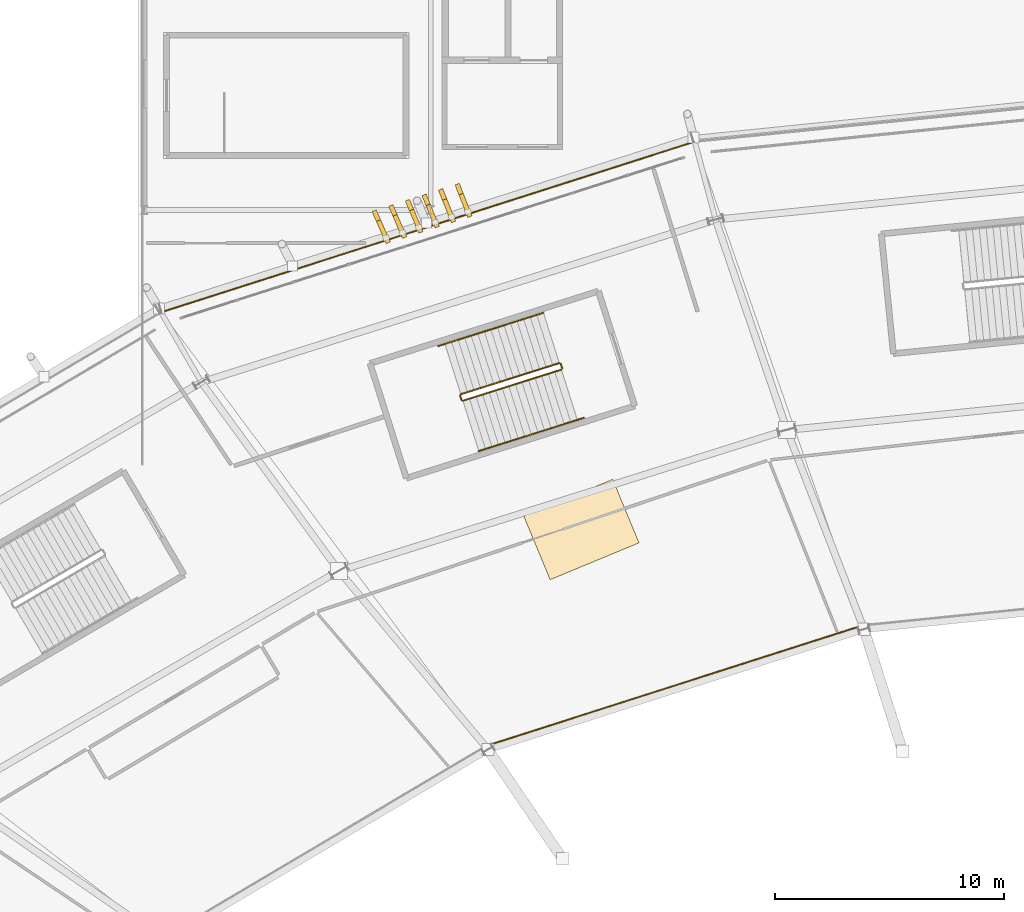
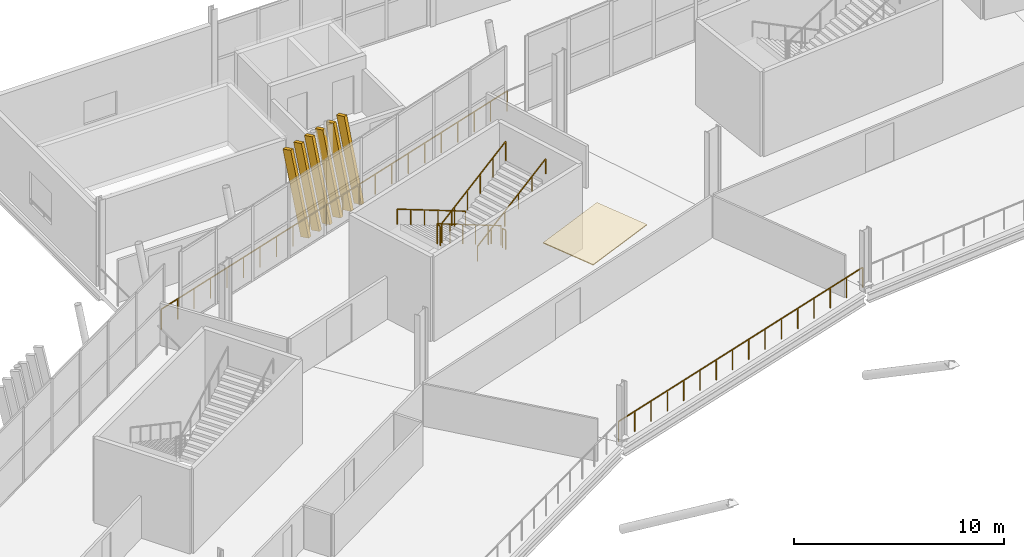
# One storey, part 163 of 168: 8 railings, 6 shading devices, 1 covering.
"""IFC4 building model written with IfcOpenShell, lengths in metres."""

from ifc_helpers import new_model, si_unit, direction, frame, origin, origin_2d, place, context, subcontext, project, spatial, polyline, rectangle, outline, extrude, material, layer, layer_set, material_profile, profile_set, type_object, element, save


model = new_model("IFC4")

# Units and contexts
model_context = context("Model", 3, precision=1e-05, world=origin(), true_north=direction((0.0, 1.0)))
body_context = subcontext(model_context, "Body", "Model", "MODEL_VIEW")
ifc_project = project(units=[si_unit("LENGTHUNIT", "METRE"), si_unit("AREAUNIT", "SQUARE_METRE"), si_unit("VOLUMEUNIT", "CUBIC_METRE"), si_unit("PLANEANGLEUNIT", "RADIAN"), si_unit("MASSUNIT", "GRAM", prefix="KILO")], contexts=[model_context])

# Site, building, storey
site_placement = place(None, origin())
site = spatial("IfcSite", under=ifc_project, at=site_placement, CompositionType="ELEMENT")
building_placement = place(site_placement, origin())
building = spatial("IfcBuilding", under=site, at=building_placement, Name="Zlatoyarsky Gate Stadium", CompositionType="ELEMENT")
storey_placement = place(building_placement, frame((0.0, 0.0, 15.60009765625)))
storey = spatial("IfcBuildingStorey", under=building, at=storey_placement, Name="L03", CompositionType="ELEMENT", Elevation=15.60009765625)

# Railings
ifc_material_1 = material(Name="Powder-coated steel tubular guardrail", Category="steel")
railing_type_1 = type_object("IfcRailingType", Name="CONCOURSE SLAB EDGE GUARDRAIL 1200", PredefinedType="GUARDRAIL", material=ifc_material_1)
railing_1_placement = place(storey_placement, frame((93.353759765625, 130.885009765625, 0.0)))
element("IfcRailing", 1, at=railing_1_placement, inside=storey, type_object=railing_type_1, Name="L03 inner bowl edge guardrail 07", PredefinedType="GUARDRAIL", context=body_context, shape_type="SweptSolid", body=[
    extrude(rectangle(XDim=0.048095703125, YDim=0.048095703125, at=origin_2d()), frame((0.0, 0.0, 1.17578125), z_axis=(-0.952412982001, -0.304810616148, 0.0), x_axis=(0.304810616148, -0.952412982001, 0.0)), (0.0, 0.0, 1.0), 17.265380859375),
    extrude(rectangle(XDim=0.0419921875, YDim=0.0419921875, at=origin_2d()), origin(), (0.0, 0.0, 1.0), 1.15185546875),
    extrude(rectangle(XDim=0.0419921875, YDim=0.0419921875, at=origin_2d()), frame((-1.09619140625, -0.350830078125, 0.0)), (0.0, 0.0, 1.0), 1.15185546875),
    extrude(rectangle(XDim=0.0419921875, YDim=0.0419921875, at=origin_2d()), frame((-2.192626953125, -0.70166015625, 0.0)), (0.0, 0.0, 1.0), 1.15185546875),
    extrude(rectangle(XDim=0.0419921875, YDim=0.0419921875, at=origin_2d()), frame((-3.288818359375, -1.052490234375, 0.0)), (0.0, 0.0, 1.0), 1.15185546875),
    extrude(rectangle(XDim=0.0419921875, YDim=0.0419921875, at=origin_2d()), frame((-4.385009765625, -1.4033203125, 0.0)), (0.0, 0.0, 1.0), 1.15185546875),
    extrude(rectangle(XDim=0.0419921875, YDim=0.0419921875, at=origin_2d()), frame((-5.481201171875, -1.754150390625, 0.0)), (0.0, 0.0, 1.0), 1.15185546875),
    extrude(rectangle(XDim=0.0419921875, YDim=0.0419921875, at=origin_2d()), frame((-6.57763671875, -2.10498046875, 0.0)), (0.0, 0.0, 1.0), 1.15185546875),
    extrude(rectangle(XDim=0.0419921875, YDim=0.0419921875, at=origin_2d()), frame((-7.673828125, -2.455810546875, 0.0)), (0.0, 0.0, 1.0), 1.15185546875),
    extrude(rectangle(XDim=0.0419921875, YDim=0.0419921875, at=origin_2d()), frame((-8.77001953125, -2.806884765625, 0.0)), (0.0, 0.0, 1.0), 1.15185546875),
    extrude(rectangle(XDim=0.0419921875, YDim=0.0419921875, at=origin_2d()), frame((-9.8662109375, -3.15771484375, 0.0)), (0.0, 0.0, 1.0), 1.15185546875),
    extrude(rectangle(XDim=0.0419921875, YDim=0.0419921875, at=origin_2d()), frame((-10.962646484375, -3.508544921875, 0.0)), (0.0, 0.0, 1.0), 1.15185546875),
    extrude(rectangle(XDim=0.0419921875, YDim=0.0419921875, at=origin_2d()), frame((-12.058837890625, -3.859375, 0.0)), (0.0, 0.0, 1.0), 1.15185546875),
    extrude(rectangle(XDim=0.0419921875, YDim=0.0419921875, at=origin_2d()), frame((-13.155029296875, -4.210205078125, 0.0)), (0.0, 0.0, 1.0), 1.15185546875),
    extrude(rectangle(XDim=0.0419921875, YDim=0.0419921875, at=origin_2d()), frame((-14.251220703125, -4.56103515625, 0.0)), (0.0, 0.0, 1.0), 1.15185546875),
    extrude(rectangle(XDim=0.0419921875, YDim=0.0419921875, at=origin_2d()), frame((-15.34765625, -4.911865234375, 0.0)), (0.0, 0.0, 1.0), 1.15185546875),
    extrude(rectangle(XDim=0.0419921875, YDim=0.0419921875, at=origin_2d()), frame((-16.44384765625, -5.2626953125, 0.0)), (0.0, 0.0, 1.0), 1.15185546875),
])
railing_2_placement = place(storey_placement, frame((86.018310546875, 151.98291015625, 0.0)))
element("IfcRailing", 2, at=railing_2_placement, inside=storey, type_object=railing_type_1, Name="L03 outer slab edge guardrail 07", PredefinedType="GUARDRAIL", context=body_context, shape_type="SweptSolid", body=[
    extrude(rectangle(XDim=0.048095703125, YDim=0.048095703125, at=origin_2d()), frame((0.0, 0.0, 1.17578125), z_axis=(-0.952478180507, -0.304606821424, 0.0), x_axis=(0.304606821424, -0.952478180507, 0.0)), (0.0, 0.0, 1.0), 24.440673828125),
    extrude(rectangle(XDim=0.0419921875, YDim=0.0419921875, at=origin_2d()), origin(), (0.0, 0.0, 1.0), 1.15185546875),
    extrude(rectangle(XDim=0.0419921875, YDim=0.0419921875, at=origin_2d()), frame((-1.108642578125, -0.3544921875, 0.0)), (0.0, 0.0, 1.0), 1.15185546875),
    extrude(rectangle(XDim=0.0419921875, YDim=0.0419921875, at=origin_2d()), frame((-2.217041015625, -0.708984375, 0.0)), (0.0, 0.0, 1.0), 1.15185546875),
    extrude(rectangle(XDim=0.0419921875, YDim=0.0419921875, at=origin_2d()), frame((-3.32568359375, -1.0634765625, 0.0)), (0.0, 0.0, 1.0), 1.15185546875),
    extrude(rectangle(XDim=0.0419921875, YDim=0.0419921875, at=origin_2d()), frame((-4.43408203125, -1.41796875, 0.0)), (0.0, 0.0, 1.0), 1.15185546875),
    extrude(rectangle(XDim=0.0419921875, YDim=0.0419921875, at=origin_2d()), frame((-5.542724609375, -1.7724609375, 0.0)), (0.0, 0.0, 1.0), 1.15185546875),
    extrude(rectangle(XDim=0.0419921875, YDim=0.0419921875, at=origin_2d()), frame((-6.651123046875, -2.127197265625, 0.0)), (0.0, 0.0, 1.0), 1.15185546875),
    extrude(rectangle(XDim=0.0419921875, YDim=0.0419921875, at=origin_2d()), frame((-7.759765625, -2.481689453125, 0.0)), (0.0, 0.0, 1.0), 1.15185546875),
    extrude(rectangle(XDim=0.0419921875, YDim=0.0419921875, at=origin_2d()), frame((-8.868408203125, -2.836181640625, 0.0)), (0.0, 0.0, 1.0), 1.15185546875),
    extrude(rectangle(XDim=0.0419921875, YDim=0.0419921875, at=origin_2d()), frame((-9.976806640625, -3.190673828125, 0.0)), (0.0, 0.0, 1.0), 1.15185546875),
    extrude(rectangle(XDim=0.0419921875, YDim=0.0419921875, at=origin_2d()), frame((-11.08544921875, -3.545166015625, 0.0)), (0.0, 0.0, 1.0), 1.15185546875),
    extrude(rectangle(XDim=0.0419921875, YDim=0.0419921875, at=origin_2d()), frame((-12.19384765625, -3.899658203125, 0.0)), (0.0, 0.0, 1.0), 1.15185546875),
    extrude(rectangle(XDim=0.0419921875, YDim=0.0419921875, at=origin_2d()), frame((-13.302490234375, -4.254150390625, 0.0)), (0.0, 0.0, 1.0), 1.15185546875),
    extrude(rectangle(XDim=0.0419921875, YDim=0.0419921875, at=origin_2d()), frame((-14.410888671875, -4.608642578125, 0.0)), (0.0, 0.0, 1.0), 1.15185546875),
    extrude(rectangle(XDim=0.0419921875, YDim=0.0419921875, at=origin_2d()), frame((-15.51953125, -4.963134765625, 0.0)), (0.0, 0.0, 1.0), 1.15185546875),
    extrude(rectangle(XDim=0.0419921875, YDim=0.0419921875, at=origin_2d()), frame((-16.628173828125, -5.317626953125, 0.0)), (0.0, 0.0, 1.0), 1.15185546875),
    extrude(rectangle(XDim=0.0419921875, YDim=0.0419921875, at=origin_2d()), frame((-17.736572265625, -5.67236328125, 0.0)), (0.0, 0.0, 1.0), 1.15185546875),
    extrude(rectangle(XDim=0.0419921875, YDim=0.0419921875, at=origin_2d()), frame((-18.84521484375, -6.02685546875, 0.0)), (0.0, 0.0, 1.0), 1.15185546875),
    extrude(rectangle(XDim=0.0419921875, YDim=0.0419921875, at=origin_2d()), frame((-19.95361328125, -6.38134765625, 0.0)), (0.0, 0.0, 1.0), 1.15185546875),
    extrude(rectangle(XDim=0.0419921875, YDim=0.0419921875, at=origin_2d()), frame((-21.062255859375, -6.73583984375, 0.0)), (0.0, 0.0, 1.0), 1.15185546875),
    extrude(rectangle(XDim=0.0419921875, YDim=0.0419921875, at=origin_2d()), frame((-22.170654296875, -7.09033203125, 0.0)), (0.0, 0.0, 1.0), 1.15185546875),
    extrude(rectangle(XDim=0.0419921875, YDim=0.0419921875, at=origin_2d()), frame((-23.279296875, -7.44482421875, 0.0)), (0.0, 0.0, 1.0), 1.15185546875),
])
ifc_material_2 = material(Name="Powder-coated steel stair guardrail", Category="steel")
railing_type_2 = type_object("IfcRailingType", Name="PAINTED STEEL STAIR WELL GUARDRAIL 1150", PredefinedType="GUARDRAIL", material=ifc_material_2)
railing_3_placement = place(storey_placement, frame((80.108642578125, 142.321533203125, 0.162353515625)))
element("IfcRailing", 3, at=railing_3_placement, inside=storey, type_object=railing_type_2, Name="ST-14 L03 stair guard 1", PredefinedType="GUARDRAIL", context=body_context, shape_type="SweptSolid", body=[
    extrude(rectangle(XDim=0.048095703125, YDim=0.048095703125, at=origin_2d()), frame((0.0, 0.0, 1.1259765625), z_axis=(-0.838387862461, -0.265087985872, 0.476271090686), x_axis=(0.301476673217, -0.953473552599, 0.0)), (0.0, 0.0, 1.0), 5.117919921875),
    extrude(rectangle(XDim=0.0419921875, YDim=0.0419921875, at=origin_2d()), origin(), (0.0, 0.0, 1.0), 1.101806640625),
    extrude(rectangle(XDim=0.0419921875, YDim=0.0419921875, at=origin_2d()), frame((-0.858154296875, -0.271240234375, 0.487548828125)), (0.0, 0.0, 1.0), 1.101806640625),
    extrude(rectangle(XDim=0.0419921875, YDim=0.0419921875, at=origin_2d()), frame((-1.71630859375, -0.542724609375, 0.97509765625)), (0.0, 0.0, 1.0), 1.101806640625),
    extrude(rectangle(XDim=0.0419921875, YDim=0.0419921875, at=origin_2d()), frame((-2.574462890625, -0.81396484375, 1.46240234375)), (0.0, 0.0, 1.0), 1.101806640625),
    extrude(rectangle(XDim=0.0419921875, YDim=0.0419921875, at=origin_2d()), frame((-3.4326171875, -1.08544921875, 1.949951171875)), (0.0, 0.0, 1.0), 1.101806640625),
    extrude(rectangle(XDim=0.0419921875, YDim=0.0419921875, at=origin_2d()), frame((-4.290771484375, -1.356689453125, 2.4375)), (0.0, 0.0, 1.0), 1.101806640625),
])
railing_4_placement = place(storey_placement, frame((75.785400390625, 140.902099609375, 2.599853515625)))
element("IfcRailing", 4, at=railing_4_placement, inside=storey, type_object=railing_type_2, Name="ST-14 L03 stair guard 2", PredefinedType="GUARDRAIL", context=body_context, shape_type="SweptSolid", body=[
    extrude(rectangle(XDim=0.048095703125, YDim=0.048095703125, at=origin_2d()), frame((0.0, 0.0, 1.1259765625), z_axis=(0.301540327315, -0.953453423615, 0.0), x_axis=(0.953453423615, 0.301540327315, 0.0)), (0.0, 0.0, 1.0), 0.199951171875),
    extrude(rectangle(XDim=0.0419921875, YDim=0.0419921875, at=origin_2d()), origin(), (0.0, 0.0, 1.0), 1.101806640625),
    extrude(rectangle(XDim=0.0419921875, YDim=0.0419921875, at=origin_2d()), frame((0.060302734375, -0.190673828125, 0.0)), (0.0, 0.0, 1.0), 1.101806640625),
])
railing_5_placement = place(storey_placement, frame((75.908447265625, 140.6787109375, 2.762451171875)))
element("IfcRailing", 5, at=railing_5_placement, inside=storey, type_object=railing_type_2, Name="ST-14 L03 stair guard 3", PredefinedType="GUARDRAIL", context=body_context, shape_type="SweptSolid", body=[
    extrude(rectangle(XDim=0.048095703125, YDim=0.048095703125, at=origin_2d()), frame((0.0, 0.0, 1.1259765625), z_axis=(0.838363085299, 0.26514294003, 0.476284115376), x_axis=(-0.301541590324, 0.953453024173, 0.0)), (0.0, 0.0, 1.0), 5.11767578125),
    extrude(rectangle(XDim=0.0419921875, YDim=0.0419921875, at=origin_2d()), origin(), (0.0, 0.0, 1.0), 1.101806640625),
    extrude(rectangle(XDim=0.0419921875, YDim=0.0419921875, at=origin_2d()), frame((0.858154296875, 0.271484375, 0.487548828125)), (0.0, 0.0, 1.0), 1.101806640625),
    extrude(rectangle(XDim=0.0419921875, YDim=0.0419921875, at=origin_2d()), frame((1.71630859375, 0.542724609375, 0.97509765625)), (0.0, 0.0, 1.0), 1.101806640625),
    extrude(rectangle(XDim=0.0419921875, YDim=0.0419921875, at=origin_2d()), frame((2.57421875, 0.814208984375, 1.46240234375)), (0.0, 0.0, 1.0), 1.101806640625),
    extrude(rectangle(XDim=0.0419921875, YDim=0.0419921875, at=origin_2d()), frame((3.432373046875, 1.08544921875, 1.949951171875)), (0.0, 0.0, 1.0), 1.101806640625),
    extrude(rectangle(XDim=0.0419921875, YDim=0.0419921875, at=origin_2d()), frame((4.29052734375, 1.35693359375, 2.4375)), (0.0, 0.0, 1.0), 1.101806640625),
])
railing_6_placement = place(storey_placement, frame((80.17138671875, 142.2890625, 0.0)))
element("IfcRailing", 6, at=railing_6_placement, inside=storey, type_object=railing_type_2, Name="ST-14 L03 stair guard 4", PredefinedType="GUARDRAIL", context=body_context, shape_type="SweptSolid", body=[
    extrude(rectangle(XDim=0.048095703125, YDim=0.048095703125, at=origin_2d()), frame((0.0, 0.0, 1.1259765625), z_axis=(0.301540327315, -0.953453423615, 0.0), x_axis=(0.953453423615, 0.301540327315, 0.0)), (0.0, 0.0, 1.0), 0.199951171875),
    extrude(rectangle(XDim=0.0419921875, YDim=0.0419921875, at=origin_2d()), origin(), (0.0, 0.0, 1.0), 1.101806640625),
    extrude(rectangle(XDim=0.0419921875, YDim=0.0419921875, at=origin_2d()), frame((0.060302734375, -0.190673828125, 0.0)), (0.0, 0.0, 1.0), 1.101806640625),
])

# Covering
ifc_material_3 = material(Name="Perforated anodised aluminium acoustic ceiling", Category="aluminium")
ifc_layer = layer(ifc_material_3, 0.050048828125)
ifc_layer_set = layer_set([ifc_layer], Name="Perforated anodised aluminium acoustic ceiling")
covering_type = type_object("IfcCoveringType", Name="PERFORATED ACOUSTIC BAFFLE CEILING 50", PredefinedType="CEILING", material=ifc_layer_set)
covering_placement = place(storey_placement, frame((0.0, 0.0, 4.849853515625)))
element("IfcCovering", 7, at=covering_placement, inside=storey, type_object=covering_type, Name="L03 box gallery acoustic ceiling 03", PredefinedType="CEILING", context=body_context, shape_type="SweptSolid", body=[
    extrude(outline(polyline([(83.588134765625, 134.480712890625), (79.7080078125, 132.87353515625), (78.559814453125, 135.645263671875), (82.440185546875, 137.25244140625), (83.588134765625, 134.480712890625)])), origin(), (0.0, 0.0, 1.0), 0.050048828125),
])

# Shading devices
ifc_material_4 = material(Name="Precast concrete C40/50 stone-toned architectural rib", Category="masonry")
ifc_material_profile = material_profile(ifc_material_4, rectangle(XDim=0.199951171875, YDim=0.47998046875, at=origin_2d()), Name="RIB 200X480")
ifc_profile_set = profile_set([ifc_material_profile], Name="Precast concrete C40/50 stone-toned architectural rib")
shading_device_type = type_object("IfcShadingDeviceType", Name="PRECAST FLUTED GATE LOUVRE BLADE 200X480", PredefinedType="SHUTTER", material=ifc_profile_set)
for number, where, z_axis, x_axis, name in (
    (8, (76.12646484375, 148.92333984375, -0.010009765625), (-0.080620551856, 0.206302780985, 0.975161263164), (-0.931406038961, -0.36398185475, 0.0), "Leaning bowl louvre fin L03-07-1"),
    (9, (75.412109375, 148.69482421875, -0.010009765625), (-0.082255743552, 0.20563935888, 0.975164830545), (-0.928476690885, -0.371390676354, 0.0), "Leaning bowl louvre fin L03-07-2"),
    (10, (74.69775390625, 148.46630859375, -0.010009765625), (-0.083890685975, 0.204975293624, 0.975165361265), (-0.92548815227, -0.378776556836, 0.0), "Leaning bowl louvre fin L03-07-3"),
    (11, (73.9833984375, 148.23779296875, -0.010009765625), (-0.085576973396, 0.204260740082, 0.975168770873), (-0.92232437715, -0.386416541202, 0.0), "Leaning bowl louvre fin L03-07-4"),
    (12, (73.26904296875, 148.00927734375, -0.010009765625), (-0.08721137083, 0.203595379471, 0.975163113667), (-0.919216601821, -0.393752255786, 0.0), "Leaning bowl louvre fin L03-07-5"),
    (13, (72.5546875, 147.78076171875, -0.010009765625), (-0.08884639366, 0.202880407833, 0.975164528913), (-0.916014333163, -0.401145536482, 0.0), "Leaning bowl louvre fin L03-07-6"),
):
    element("IfcShadingDevice", number, at=place(storey_placement, frame(where, z_axis=z_axis, x_axis=x_axis)), inside=storey, type_object=shading_device_type, Name=name, PredefinedType="SHUTTER", context=body_context, shape_type="SweptSolid", body=[
        extrude(rectangle(XDim=0.199951171875, YDim=0.47998046875, at=origin_2d()), origin(), (0.0, 0.0, 1.0), 4.778564453125),
    ])

# Railings
ifc_material_5 = material(Name="Brushed stainless steel 316 handrail", Category="steel")
railing_type_3 = type_object("IfcRailingType", Name="STAINLESS STEEL TUBULAR HANDRAIL 900", PredefinedType="HANDRAIL", material=ifc_material_5)
railing_7_placement = place(storey_placement, frame((79.4150390625, 144.5146484375, 0.16650390625)))
element("IfcRailing", 14, at=railing_7_placement, inside=storey, type_object=railing_type_3, Name="ST-14 L03 stair handrail 1", PredefinedType="HANDRAIL", context=body_context, shape_type="SweptSolid", body=[
    extrude(rectangle(XDim=0.048095703125, YDim=0.048095703125, at=origin_2d()), frame((0.0, 0.0, 0.8759765625), z_axis=(-0.838384417276, -0.265120176337, 0.476259237148), x_axis=(0.301511080938, -0.953462672616, 0.0)), (0.0, 0.0, 1.0), 5.458984375),
    extrude(rectangle(XDim=0.0419921875, YDim=0.0419921875, at=origin_2d()), origin(), (0.0, 0.0, 1.0), 0.851806640625),
    extrude(rectangle(XDim=0.0419921875, YDim=0.0419921875, at=origin_2d()), frame((-0.915283203125, -0.28955078125, 0.52001953125)), (0.0, 0.0, 1.0), 0.851806640625),
    extrude(rectangle(XDim=0.0419921875, YDim=0.0419921875, at=origin_2d()), frame((-1.83056640625, -0.578857421875, 1.0400390625)), (0.0, 0.0, 1.0), 0.851806640625),
    extrude(rectangle(XDim=0.0419921875, YDim=0.0419921875, at=origin_2d()), frame((-2.74609375, -0.868408203125, 1.559814453125)), (0.0, 0.0, 1.0), 0.851806640625),
    extrude(rectangle(XDim=0.0419921875, YDim=0.0419921875, at=origin_2d()), frame((-3.661376953125, -1.15771484375, 2.079833984375)), (0.0, 0.0, 1.0), 0.851806640625),
    extrude(rectangle(XDim=0.0419921875, YDim=0.0419921875, at=origin_2d()), frame((-4.57666015625, -1.447265625, 2.599853515625)), (0.0, 0.0, 1.0), 0.851806640625),
])
railing_8_placement = place(storey_placement, frame((76.601806640625, 138.48583984375, 2.766357421875)))
element("IfcRailing", 15, at=railing_8_placement, inside=storey, type_object=railing_type_3, Name="ST-14 L03 stair handrail 2", PredefinedType="HANDRAIL", context=body_context, shape_type="SweptSolid", body=[
    extrude(rectangle(XDim=0.048095703125, YDim=0.048095703125, at=origin_2d()), frame((0.0, 0.0, 0.8759765625), z_axis=(0.838366559486, 0.265114529213, 0.476293815135), x_axis=(-0.301511080938, 0.953462672616, 0.0)), (0.0, 0.0, 1.0), 5.458984375),
    extrude(rectangle(XDim=0.0419921875, YDim=0.0419921875, at=origin_2d()), origin(), (0.0, 0.0, 1.0), 0.851806640625),
    extrude(rectangle(XDim=0.0419921875, YDim=0.0419921875, at=origin_2d()), frame((0.915283203125, 0.28955078125, 0.52001953125)), (0.0, 0.0, 1.0), 0.851806640625),
    extrude(rectangle(XDim=0.0419921875, YDim=0.0419921875, at=origin_2d()), frame((1.83056640625, 0.578857421875, 1.0400390625)), (0.0, 0.0, 1.0), 0.851806640625),
    extrude(rectangle(XDim=0.0419921875, YDim=0.0419921875, at=origin_2d()), frame((2.74609375, 0.868408203125, 1.56005859375)), (0.0, 0.0, 1.0), 0.851806640625),
    extrude(rectangle(XDim=0.0419921875, YDim=0.0419921875, at=origin_2d()), frame((3.661376953125, 1.15771484375, 2.080078125)), (0.0, 0.0, 1.0), 0.851806640625),
    extrude(rectangle(XDim=0.0419921875, YDim=0.0419921875, at=origin_2d()), frame((4.57666015625, 1.447265625, 2.60009765625)), (0.0, 0.0, 1.0), 0.851806640625),
])

save(model, "model.ifc")
